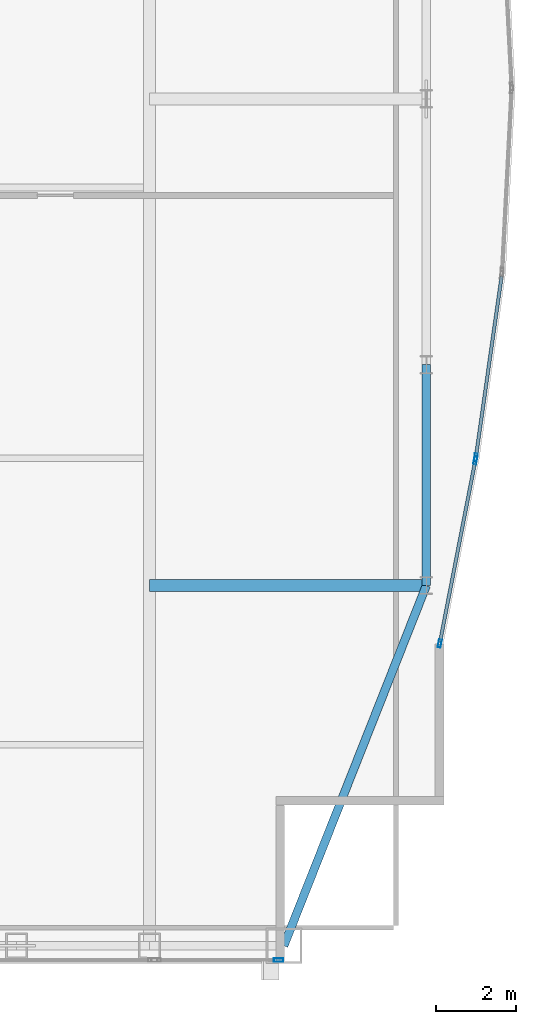
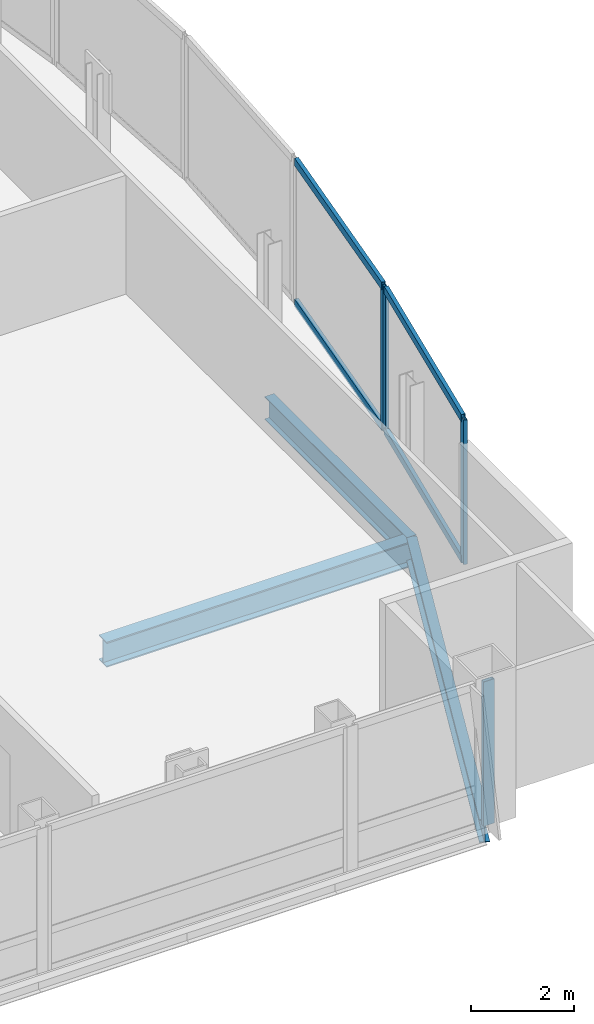
# One storey, part 14 of 27: 8 members, 3 beams, 3 elements without a shape of their own.
"""IFC4 building model written with IfcOpenShell, lengths in metres."""

from ifc_helpers import new_model, si_unit, direction, frame, origin, origin_2d, place, context, subcontext, project, spatial, hollow_rectangle, i_section, extrude, material, material_profile, profile_set, type_object, element, aggregate, save


model = new_model("IFC4")

# Units and contexts
model_context = context("Model", 3, precision=1e-05, world=origin(), true_north=direction((0.0, 1.0)))
body_context = subcontext(model_context, "Body", "Model", "MODEL_VIEW")
ifc_project = project(units=[si_unit("LENGTHUNIT", "METRE"), si_unit("AREAUNIT", "SQUARE_METRE"), si_unit("VOLUMEUNIT", "CUBIC_METRE"), si_unit("PLANEANGLEUNIT", "RADIAN"), si_unit("MASSUNIT", "GRAM", prefix="KILO")], contexts=[model_context])

# Site, building, storey
site_placement = place(None, origin())
site = spatial("IfcSite", under=ifc_project, at=site_placement, CompositionType="ELEMENT")
building_placement = place(site_placement, origin())
building = spatial("IfcBuilding", under=site, at=building_placement, Name="Khoronbel Lancet Exchange", CompositionType="ELEMENT")
storey_placement = place(building_placement, frame((0.0, 0.0, 332.60009765625)))
storey = spatial("IfcBuildingStorey", under=building, at=storey_placement, Name="L86", CompositionType="ELEMENT", Elevation=332.60009765625)

# Beams
ifc_material_1 = material(Name="Steel S355", Category="steel")
ifc_material_profile_1 = material_profile(ifc_material_1, i_section(OverallWidth=0.300048828125, OverallDepth=0.60009765625, WebThickness=0.015380859375, FlangeThickness=0.030029296875, at=origin_2d()), Name="HEB 600")
ifc_profile_set_1 = profile_set([ifc_material_profile_1], Name="Steel S355")
beam_type_1 = type_object("IfcBeamType", Name="BM-BG5", PredefinedType="BEAM", material=ifc_profile_set_1)
beam_1_placement = place(storey_placement, frame((54.675048828125, 19.199951171875, -0.460205078125), z_axis=(1.0, 0.0, 0.0), x_axis=(0.0, 1.0, 0.0)))
element("IfcBeam", 1, at=beam_1_placement, inside=storey, type_object=beam_type_1, Name="Level L86 east lens tie girder LG1E", PredefinedType="BEAM", context=body_context, shape_type="SweptSolid", body=[
    extrude(i_section(OverallWidth=0.300048828125, OverallDepth=0.60009765625, WebThickness=0.015380859375, FlangeThickness=0.030029296875, at=origin_2d()), origin(), (0.0, 0.0, 1.0), 6.954833984375),
])
ifc_material_profile_2 = material_profile(ifc_material_1, i_section(OverallWidth=0.2099609375, OverallDepth=0.550048828125, WebThickness=0.010986328125, FlangeThickness=0.01708984375, at=origin_2d()), Name="IPE 550")
ifc_profile_set_2 = profile_set([ifc_material_profile_2], Name="Steel S355")
beam_type_2 = type_object("IfcBeamType", Name="BM-BSP3", PredefinedType="SPANDREL", material=ifc_profile_set_2)
beam_2_placement = place(storey_placement, frame((58.050048828125, 10.14990234375, -0.43505859375), z_axis=(0.367828403855, 0.929893684954, 0.0), x_axis=(-0.929893684954, 0.367828403855, 0.0)))
element("IfcBeam", 2, at=beam_2_placement, inside=storey, type_object=beam_type_2, Name="Level L86 perimeter spandrel beam SP08", PredefinedType="SPANDREL", context=body_context, shape_type="SweptSolid", body=[
    extrude(i_section(OverallWidth=0.2099609375, OverallDepth=0.550048828125, WebThickness=0.010986328125, FlangeThickness=0.01708984375, at=origin_2d()), origin(), (0.0, 0.0, 1.0), 9.732421875),
])
beam_3_placement = place(storey_placement, frame((61.6298828125, 19.199951171875, -0.43505859375), z_axis=(0.0, 1.0, 0.0), x_axis=(-1.0, 0.0, 0.0)))
element("IfcBeam", 3, at=beam_3_placement, inside=storey, type_object=beam_type_2, Name="Level L86 perimeter spandrel beam SP09", PredefinedType="SPANDREL", context=body_context, shape_type="SweptSolid", body=[
    extrude(i_section(OverallWidth=0.2099609375, OverallDepth=0.550048828125, WebThickness=0.010986328125, FlangeThickness=0.01708984375, at=origin_2d()), origin(), (0.0, 0.0, 1.0), 5.550048828125),
])

# Curtain wall, member
ifc_material_2 = material(Name="Low-E Solar Control Insulating Glass", Category="glass")
curtain_wall_type_1 = type_object("IfcCurtainWallType", Name="CW-3", PredefinedType="NOTDEFINED", material=ifc_material_2)
curtain_wall_1_placement = place(storey_placement, origin())
curtain_wall_1 = element("IfcCurtainWall", 4, at=curtain_wall_1_placement, inside=storey, type_object=curtain_wall_type_1, Name="Unitised curtain wall CW-L86-SEV", PredefinedType="NOTDEFINED")
ifc_material_3 = material(Name="Bronze-Anodised Aluminium 6063-T6", Category="aluminium")
ifc_material_profile_3 = material_profile(ifc_material_3, hollow_rectangle(XDim=0.0849609375, YDim=0.239990234375, WallThickness=0.006103515625, at=origin_2d()), Name="ALU MULLION 85x240")
ifc_profile_set_3 = profile_set([ifc_material_profile_3], Name="Bronze-Anodised Aluminium 6063-T6")
member_type_1 = type_object("IfcMemberType", Name="MEM-CWM1", PredefinedType="MULLION", material=ifc_profile_set_3)
member_1_placement = place(storey_placement, frame((57.91748046875, 9.7900390625, 0.0), z_axis=(0.0, 0.0, 1.0), x_axis=(0.0, 1.0, 0.0)))
member_1 = element("IfcMember", 5, at=member_1_placement, type_object=member_type_1, Name="CW3 mullion 2", PredefinedType="MULLION", context=body_context, shape_type="SweptSolid", body=[
    extrude(hollow_rectangle(XDim=0.0849609375, YDim=0.239990234375, WallThickness=0.006103515625, at=origin_2d()), origin(), (0.0, 0.0, 1.0), 3.43994140625),
])
aggregate(curtain_wall_1, [member_1])

curtain_wall_type_2 = type_object("IfcCurtainWallType", Name="CW-4", PredefinedType="NOTDEFINED", material=ifc_material_2)
curtain_wall_2_placement = place(storey_placement, origin())
curtain_wall_2 = element("IfcCurtainWall", 6, at=curtain_wall_2_placement, inside=storey, type_object=curtain_wall_type_2, Name="Unitised curtain wall CW-L86-E21", PredefinedType="NOTDEFINED")
ifc_material_profile_4 = material_profile(ifc_material_3, hollow_rectangle(XDim=0.074951171875, YDim=0.199951171875, WallThickness=0.0048828125, at=origin_2d()), Name="ALU MULLION 75x200")
ifc_profile_set_4 = profile_set([ifc_material_profile_4], Name="Bronze-Anodised Aluminium 6063-T6")
member_type_2 = type_object("IfcMemberType", Name="MEM-CWM2", PredefinedType="MULLION", material=ifc_profile_set_4)
member_2_placement = place(storey_placement, frame((62.873046875, 22.418701171875, 0.0), z_axis=(0.0, 0.0, 1.0), x_axis=(0.990037673837, -0.140802714401, 0.0)))
member_2 = element("IfcMember", 7, at=member_2_placement, type_object=member_type_2, Name="CW4 mullion 2", PredefinedType="MULLION", context=body_context, shape_type="SweptSolid", body=[
    extrude(hollow_rectangle(XDim=0.074951171875, YDim=0.199951171875, WallThickness=0.0048828125, at=origin_2d()), origin(), (0.0, 0.0, 1.0), 3.43994140625),
])

# Curtain wall, members
curtain_wall_3_placement = place(storey_placement, origin())
curtain_wall_3 = element("IfcCurtainWall", 8, at=curtain_wall_3_placement, inside=storey, type_object=curtain_wall_type_2, Name="Unitised curtain wall CW-L86-E22", PredefinedType="NOTDEFINED")
member_3_placement = place(storey_placement, frame((62.860595703125, 22.3447265625, 0.0), z_axis=(0.0, 0.0, 1.0), x_axis=(0.981647628416, -0.190703785032, 0.0)))
member_3 = element("IfcMember", 9, at=member_3_placement, type_object=member_type_2, Name="CW4 mullion 1", PredefinedType="MULLION", context=body_context, shape_type="SweptSolid", body=[
    extrude(hollow_rectangle(XDim=0.074951171875, YDim=0.199951171875, WallThickness=0.0048828125, at=origin_2d()), origin(), (0.0, 0.0, 1.0), 3.43994140625),
])
member_4_placement = place(storey_placement, frame((61.967041015625, 17.74560546875, 0.0), z_axis=(0.0, 0.0, 1.0), x_axis=(0.981647628416, -0.190703785032, 0.0)))
member_4 = element("IfcMember", 10, at=member_4_placement, type_object=member_type_2, Name="CW4 mullion 2", PredefinedType="MULLION", context=body_context, shape_type="SweptSolid", body=[
    extrude(hollow_rectangle(XDim=0.074951171875, YDim=0.199951171875, WallThickness=0.0048828125, at=origin_2d()), origin(), (0.0, 0.0, 1.0), 3.43994140625),
])

# Member
ifc_material_profile_5 = material_profile(ifc_material_3, hollow_rectangle(XDim=0.0849609375, YDim=0.179931640625, WallThickness=0.0048828125, at=origin_2d()), Name="ALU TRANSOM 85x180")
ifc_profile_set_5 = profile_set([ifc_material_profile_5], Name="Bronze-Anodised Aluminium 6063-T6")
member_type_3 = type_object("IfcMemberType", Name="MEM-CWT1", PredefinedType="USERDEFINED", material=ifc_profile_set_5)
member_5_placement = place(storey_placement, frame((63.52001953125, 26.9677734375, 0.04248046875), z_axis=(-0.140783835422, -0.990040358614, 0.0), x_axis=(0.990040358614, -0.140783835422, 0.0)))
member_5 = element("IfcMember", 11, at=member_5_placement, type_object=member_type_3, Name="CW4 transom 1.1", ObjectType="TRANSOM", PredefinedType="USERDEFINED", context=body_context, shape_type="SweptSolid", body=[
    extrude(hollow_rectangle(XDim=0.0849609375, YDim=0.179931640625, WallThickness=0.0048828125, at=origin_2d()), origin(), (0.0, 0.0, 1.0), 4.557373046875),
])

member_6_placement = place(storey_placement, frame((63.52001953125, 26.9677734375, 3.3974609375), z_axis=(-0.140783835422, -0.990040358614, 0.0), x_axis=(0.990040358614, -0.140783835422, 0.0)))
member_6 = element("IfcMember", 12, at=member_6_placement, type_object=member_type_3, Name="CW4 transom 1.2", ObjectType="TRANSOM", PredefinedType="USERDEFINED", context=body_context, shape_type="SweptSolid", body=[
    extrude(hollow_rectangle(XDim=0.0849609375, YDim=0.179931640625, WallThickness=0.0048828125, at=origin_2d()), origin(), (0.0, 0.0, 1.0), 4.557373046875),
])

aggregate(curtain_wall_2, [member_2, member_5, member_6])

member_7_placement = place(storey_placement, frame((62.853515625, 22.307861328125, 0.04248046875), z_axis=(-0.19069531401, -0.981649274036, 0.0), x_axis=(0.981649274036, -0.19069531401, 0.0)))
member_7 = element("IfcMember", 13, at=member_7_placement, type_object=member_type_3, Name="CW4 transom 1.1", ObjectType="TRANSOM", PredefinedType="USERDEFINED", context=body_context, shape_type="SweptSolid", body=[
    extrude(hollow_rectangle(XDim=0.0849609375, YDim=0.179931640625, WallThickness=0.0048828125, at=origin_2d()), origin(), (0.0, 0.0, 1.0), 4.6103515625),
])

member_8_placement = place(storey_placement, frame((62.853515625, 22.307861328125, 3.3974609375), z_axis=(-0.19069531401, -0.981649274036, 0.0), x_axis=(0.981649274036, -0.19069531401, 0.0)))
member_8 = element("IfcMember", 14, at=member_8_placement, type_object=member_type_3, Name="CW4 transom 1.2", ObjectType="TRANSOM", PredefinedType="USERDEFINED", context=body_context, shape_type="SweptSolid", body=[
    extrude(hollow_rectangle(XDim=0.0849609375, YDim=0.179931640625, WallThickness=0.0048828125, at=origin_2d()), origin(), (0.0, 0.0, 1.0), 4.6103515625),
])

aggregate(curtain_wall_3, [member_3, member_4, member_7, member_8])

save(model, "model.ifc")
